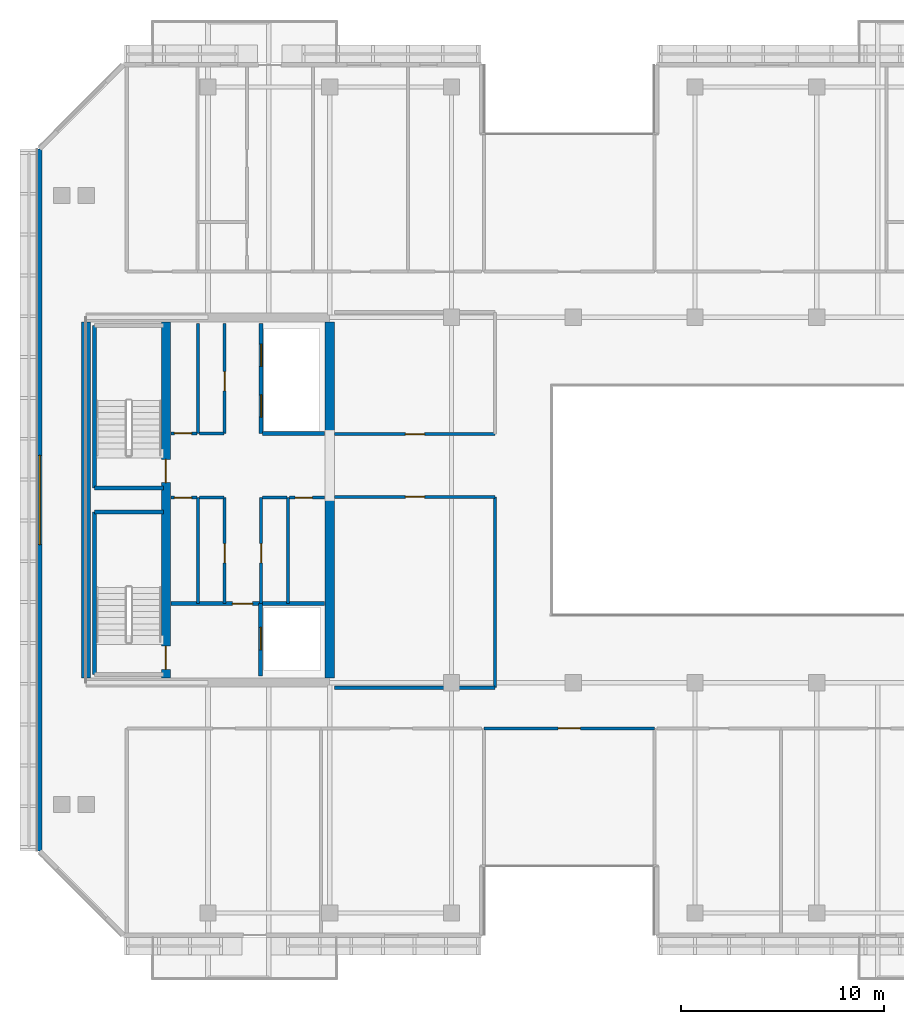
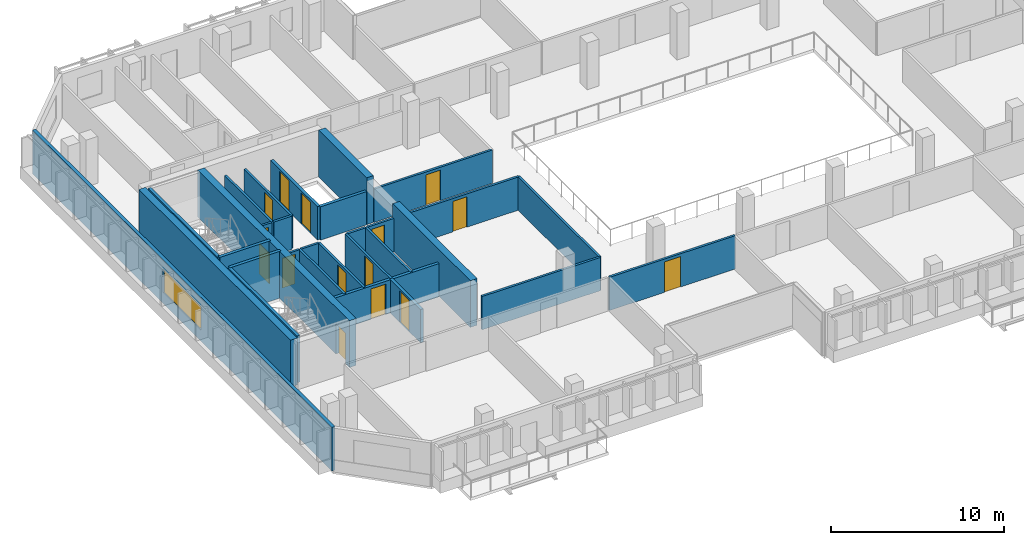
# One storey, part 6 of 16: 30 walls, 15 doors, 1 window, 16 openings.
"""IFC4 building model written with IfcOpenShell, lengths in metres."""

import ifcopenshell
import ifcopenshell.guid

model = None  # the IFC model being written
_history = None  # IfcOwnerHistory: only IFC2X3 demands one
_inside = {}  # id of a spatial element -> (the spatial element, [elements in it])
_under = {}  # id of a project, library or spatial element -> (it, [spatial elements below it])
_declared = {}  # id of a project -> (the project, [libraries it declares])
_typed = {}  # id of a type object -> (the type object, [elements of that type])
_made_of = {}  # id of a material, layer set ... -> (it, [elements and type objects made of it])


def new_model(schema):
    """Start an empty IFC model of exactly this schema.

    Asked for "IFC4X3", IfcOpenShell would pick the latest addendum, in which some entities
    have other attributes; the version numbers below select the first issue.
    IFC2X3 requires an IfcOwnerHistory on every rooted entity: one is made here for all.
    """
    global model, _history
    if schema == "IFC4X3":
        model = ifcopenshell.file(schema_version=(4, 3, 0, 0))
    else:
        model = ifcopenshell.file(schema=schema)
    _inside.clear()
    _under.clear()
    _declared.clear()
    _typed.clear()
    _made_of.clear()
    _history = None
    if model.schema == "IFC2X3":
        org = make("IfcOrganization", Name="unknown")
        user = make(
            "IfcPersonAndOrganization",
            ThePerson=make("IfcPerson", FamilyName="unknown"),
            TheOrganization=org,
        )
        app = make(
            "IfcApplication",
            ApplicationDeveloper=org,
            Version="unknown",
            ApplicationFullName="unknown",
            ApplicationIdentifier="unknown",
        )
        _history = make(
            "IfcOwnerHistory",
            OwningUser=user,
            OwningApplication=app,
            ChangeAction="ADDED",
            CreationDate=0,
        )
    return model


def make(cls, **values):
    """One entity of the class cls with the attributes given. An attribute that is None is left unset."""
    return model.create_entity(
        cls, **{name: value for name, value in values.items() if value is not None}
    )


def rooted(cls, **values):
    """An entity with a GlobalId (a new one), such as an element, a storey or a relation."""
    return make(cls, GlobalId=ifcopenshell.guid.new(), OwnerHistory=_history, **values)


def si_unit(unit_type, name, prefix=None):
    """IfcSIUnit, for example si_unit("LENGTHUNIT", "METRE", prefix="MILLI")."""
    return make("IfcSIUnit", UnitType=unit_type, Prefix=prefix, Name=name)


def assignment(units):
    """IfcUnitAssignment: the units of a project."""
    return None if units is None else make("IfcUnitAssignment", Units=units)


def point(xyz):
    """IfcCartesianPoint."""
    return None if xyz is None else make("IfcCartesianPoint", Coordinates=xyz)


def direction(xyz):
    """IfcDirection."""
    return None if xyz is None else make("IfcDirection", DirectionRatios=xyz)


def frame(location, z_axis=None, x_axis=None):
    """IfcAxis2Placement3D, a coordinate frame: its origin and axes. An axis left out is left unset."""
    return make(
        "IfcAxis2Placement3D",
        Location=point(location),
        Axis=direction(z_axis),
        RefDirection=direction(x_axis),
    )


def frame_2d(location, x_axis=None):
    """IfcAxis2Placement2D, a coordinate frame in the plane: its origin and x axis."""
    return make(
        "IfcAxis2Placement2D", Location=point(location), RefDirection=direction(x_axis)
    )


def origin():
    """The frame at (0, 0, 0) with its axes left unset."""
    return frame((0.0, 0.0, 0.0))


def place(relative_to, where):
    """IfcLocalPlacement: puts the frame where relative to a parent placement (None: the world)."""
    return make(
        "IfcLocalPlacement", PlacementRelTo=relative_to, RelativePlacement=where
    )


def context(
    kind, dimensions, precision=None, world=None, true_north=None, identifier=None
):
    """IfcGeometricRepresentationContext, for example the 3D "Model" context."""
    return make(
        "IfcGeometricRepresentationContext",
        ContextIdentifier=identifier,
        ContextType=kind,
        CoordinateSpaceDimension=dimensions,
        Precision=precision,
        WorldCoordinateSystem=world,
        TrueNorth=true_north,
    )


def subcontext(parent, identifier, kind, view, scale=None):
    """IfcGeometricRepresentationSubContext, for example "Body" below "Model"."""
    return make(
        "IfcGeometricRepresentationSubContext",
        ContextIdentifier=identifier,
        ContextType=kind,
        ParentContext=parent,
        TargetScale=scale,
        TargetView=view,
    )


def project(units=None, contexts=None):
    """IfcProject with its units and contexts."""
    return rooted(
        "IfcProject",
        Name="project",
        RepresentationContexts=contexts,
        UnitsInContext=assignment(units),
    )


def spatial(cls, under=None, at=None, **own):
    """A site, building, storey or space (cls), placed at a placement, below another one or the project."""
    s = rooted(cls, ObjectPlacement=at, **own)
    if under is not None:
        _under.setdefault(under.id(), (under, []))[1].append(s)
    return s


def profile(cls, at=None, kind="AREA", **sizes):
    """A parametric profile (cls). Its sizes go by their IFC names, for example OverallWidth=200.0."""
    return make(cls, ProfileType=kind, Position=at, **sizes)


def rectangle(**sizes):
    """IfcRectangleProfileDef."""
    return profile("IfcRectangleProfileDef", **sizes)


def extrude(swept, where, along, depth):
    """IfcExtrudedAreaSolid: the profile swept, set in the frame where, extruded along a direction by depth."""
    return make(
        "IfcExtrudedAreaSolid",
        SweptArea=swept,
        Position=where,
        ExtrudedDirection=direction(along),
        Depth=depth,
    )


def shape(context_of_items, identifier, shape_type, items):
    """IfcShapeRepresentation: the items that make up one representation, for example the "Body"."""
    return make(
        "IfcShapeRepresentation",
        ContextOfItems=context_of_items,
        RepresentationIdentifier=identifier,
        RepresentationType=shape_type,
        Items=items,
    )


def material(Name=None, Category=None):
    """IfcMaterial."""
    return make("IfcMaterial", Name=Name, Category=Category)


def layer(
    of_material, thickness, ventilated=None, Name=None, Category=None, Priority=None
):
    """IfcMaterialLayer: one layer of a wall or slab, of a material (None: an air gap)."""
    return make(
        "IfcMaterialLayer",
        Material=of_material,
        LayerThickness=thickness,
        IsVentilated=ventilated,
        Name=Name,
        Category=Category,
        Priority=Priority,
    )


def layer_set(layers, Name=None):
    """IfcMaterialLayerSet."""
    return make("IfcMaterialLayerSet", MaterialLayers=layers, LayerSetName=Name)


def made_of(thing, what):
    """Note that an element or type object is made of a material, layer set ...; save() writes the relation."""
    if what is not None:
        _made_of.setdefault(what.id(), (what, []))[1].append(thing)
    return thing


def type_object(cls, material=None, **own):
    """A type object (cls), such as IfcWallType, which elements share."""
    return made_of(rooted(cls, **own), material)


def element(
    cls,
    number,
    at=None,
    inside=None,
    cuts=None,
    type_object=None,
    material=None,
    context=None,
    identifier="Body",
    shape_type=None,
    held_by="IfcProductDefinitionShape",
    body=None,
    shapes=None,
    **own,
):
    """One element of the class cls, such as IfcWall. Its Tag is "e" and its number.

    at: its placement. inside: the storey or other place that contains it. cuts: it is an
    opening in that element (IfcRelVoidsElement). A single representation is given by context,
    identifier, shape_type and body (its items); several are given by shapes. held_by: the class
    of the entity that holds the representations. save() writes the other relations.
    """
    e = rooted(cls, Tag="e%d" % number, ObjectPlacement=at, **own)
    if body is not None:
        shapes = [shape(context, identifier, shape_type, body)]
    if shapes is not None:
        e.Representation = make(held_by, Representations=shapes)
    if inside is not None:
        _inside.setdefault(inside.id(), (inside, []))[1].append(e)
    if cuts is not None:
        rooted(
            "IfcRelVoidsElement", RelatingBuildingElement=cuts, RelatedOpeningElement=e
        )
    if type_object is not None:
        _typed.setdefault(type_object.id(), (type_object, []))[1].append(e)
    return made_of(e, material)


def fill(opening, filler):
    """IfcRelFillsElement: the door or window that sits in an opening."""
    return rooted(
        "IfcRelFillsElement",
        RelatingOpeningElement=opening,
        RelatedBuildingElement=filler,
    )


def aggregate(whole, parts):
    """IfcRelAggregates: a whole, such as a stair, and the parts it consists of."""
    return rooted("IfcRelAggregates", RelatingObject=whole, RelatedObjects=parts)


def save(model, path):
    """Write the relations noted so far, then the file.

    IfcRelAggregates (storeys below a building ...), IfcRelContainedInSpatialStructure (elements
    in a storey), IfcRelDefinesByType, IfcRelAssociatesMaterial and IfcRelDeclares: one each for
    every whole, place, type object, material and project.
    """
    for whole, parts in _under.values():
        aggregate(whole, parts)
    for where, things in _inside.values():
        rooted(
            "IfcRelContainedInSpatialStructure",
            RelatedElements=things,
            RelatingStructure=where,
        )
    for kind, things in _typed.values():
        rooted("IfcRelDefinesByType", RelatedObjects=things, RelatingType=kind)
    for what, things in _made_of.values():
        rooted("IfcRelAssociatesMaterial", RelatedObjects=things, RelatingMaterial=what)
    for by, libraries in _declared.values():
        rooted("IfcRelDeclares", RelatingContext=by, RelatedDefinitions=libraries)
    model.write(path)


model = new_model("IFC4")

# Units and contexts
model_context = context("Model", 3, precision=1e-05, world=origin(), true_north=direction((0.0, 1.0)))
body_context = subcontext(model_context, "Body", "Model", "MODEL_VIEW")
ifc_project = project(units=[si_unit("LENGTHUNIT", "METRE"), si_unit("AREAUNIT", "SQUARE_METRE"), si_unit("VOLUMEUNIT", "CUBIC_METRE"), si_unit("PLANEANGLEUNIT", "RADIAN"), si_unit("MASSUNIT", "GRAM", prefix="KILO")], contexts=[model_context])

# Site, building, storey
site_placement = place(None, origin())
site = spatial("IfcSite", under=ifc_project, at=site_placement, CompositionType="ELEMENT")
building_placement = place(site_placement, origin())
building = spatial("IfcBuilding", under=site, at=building_placement, Name="Tanjung Sevakor Pilgrim Tower", CompositionType="ELEMENT")
storey_placement = place(building_placement, frame((0.0, 0.0, 191.72998046875)))
storey = spatial("IfcBuildingStorey", under=building, at=storey_placement, Name="L53", CompositionType="ELEMENT", Elevation=191.72998046875)

# Walls
ifc_material_1 = material(Name="Concrete C60/75", Category="concrete")
ifc_layer_1 = layer(ifc_material_1, 0.449951171875)
ifc_layer_set_1 = layer_set([ifc_layer_1], Name="WALL-CW-450")
wall_type_1 = type_object("IfcWallType", Name="WALL-CW-450", PredefinedType="SHEAR", material=ifc_layer_set_1)
wall_1_placement = place(storey_placement, frame((24.0, 24.824951171875, 0.0), z_axis=(0.0, 0.0, 1.0), x_axis=(0.0, 1.0, 0.0)))
element("IfcWall", 1, at=wall_1_placement, inside=storey, type_object=wall_type_1, Name="L53 W Core Outer Shear Wall", PredefinedType="SHEAR", context=body_context, shape_type="SweptSolid", body=[
    extrude(rectangle(XDim=17.550048828125, YDim=0.449951171875, at=frame_2d((8.77490234375, 0.0))), origin(), (0.0, 0.0, 1.0), 3.300048828125),
])
wall_2_placement = place(storey_placement, frame((36.0, 24.824951171875, 0.0), z_axis=(0.0, 0.0, 1.0), x_axis=(0.0, 1.0, 0.0)))
element("IfcWall", 2, at=wall_2_placement, inside=storey, type_object=wall_type_1, Name="L53 W Core Inner Shear Wall South", PredefinedType="SHEAR", context=body_context, shape_type="SweptSolid", body=[
    extrude(rectangle(XDim=8.97509765625, YDim=0.449951171875, at=frame_2d((4.487548828125, 0.0))), origin(), (0.0, 0.0, 1.0), 3.300048828125),
])
wall_3_placement = place(storey_placement, frame((36.0, 36.800048828125, 0.0), z_axis=(0.0, 0.0, 1.0), x_axis=(0.0, 1.0, 0.0)))
element("IfcWall", 3, at=wall_3_placement, inside=storey, type_object=wall_type_1, Name="L53 W Core Inner Shear Wall North", PredefinedType="SHEAR", context=body_context, shape_type="SweptSolid", body=[
    extrude(rectangle(XDim=5.574951171875, YDim=0.449951171875, at=frame_2d((2.78759765625, 0.0))), origin(), (0.0, 0.0, 1.0), 3.300048828125),
])

# Wall, openings, doors
wall_4_placement = place(storey_placement, frame((27.925048828125, 24.824951171875, 0.0), z_axis=(0.0, 0.0, 1.0), x_axis=(0.0, 1.0, 0.0)))
wall_4 = element("IfcWall", 4, at=wall_4_placement, inside=storey, type_object=wall_type_1, Name="L53 W Core Stair Spine Wall", PredefinedType="SHEAR", context=body_context, shape_type="SweptSolid", body=[
    extrude(rectangle(XDim=17.550048828125, YDim=0.449951171875, at=frame_2d((8.77490234375, 0.0))), origin(), (0.0, 0.0, 1.0), 3.300048828125),
])
opening_1_placement = place(wall_4_placement, frame((0.425048828125, 0.0, 0.0)))
opening_1 = element("IfcOpeningElement", 5, at=opening_1_placement, cuts=wall_4, Name="Opening ID-ST1", PredefinedType="OPENING", context=body_context, shape_type="SweptSolid", body=[
    extrude(rectangle(XDim=1.14990234375, YDim=2.14990234375, at=frame_2d((0.574951171875, 1.074951171875))), frame((0.0, 0.23486328125, 0.0), z_axis=(0.0, -1.0, 0.0), x_axis=(1.0, 0.0, 0.0)), (0.0, 0.0, 1.0), 0.469970703125),
])
opening_2_placement = place(wall_4_placement, frame((9.625, 0.0, 0.0)))
opening_2 = element("IfcOpeningElement", 6, at=opening_2_placement, cuts=wall_4, Name="Opening ID-ST1", PredefinedType="OPENING", context=body_context, shape_type="SweptSolid", body=[
    extrude(rectangle(XDim=1.14990234375, YDim=2.14990234375, at=frame_2d((0.574951171875, 1.074951171875))), frame((0.0, 0.23486328125, 0.0), z_axis=(0.0, -1.0, 0.0), x_axis=(1.0, 0.0, 0.0)), (0.0, 0.0, 1.0), 0.469970703125),
])
ifc_material_2 = material(Name="Fire-Rated Steel S355J2", Category="steel")
door_type_1 = type_object("IfcDoorType", Name="DT-FIRE-1150", OperationType="NOTDEFINED", PredefinedType="DOOR", material=ifc_material_2)
door_1_placement = place(opening_1_placement, origin())
door_1 = element("IfcDoor", 7, at=door_1_placement, inside=storey, type_object=door_type_1, Name="L53 TS-W1 Stair Fire Door", OperationType="SINGLE_SWING_RIGHT", OverallHeight=2.14990234375, OverallWidth=1.14990234375, PredefinedType="DOOR", context=body_context, shape_type="SweptSolid", body=[
    extrude(rectangle(XDim=1.14990234375, YDim=2.14990234375, at=frame_2d((0.574951171875, 1.074951171875))), frame((0.0, 0.02490234375, 0.0), z_axis=(0.0, -1.0, 0.0), x_axis=(1.0, 0.0, 0.0)), (0.0, 0.0, 1.0), 0.050048828125),
])
fill(opening_1, door_1)
door_2_placement = place(opening_2_placement, origin())
door_2 = element("IfcDoor", 8, at=door_2_placement, inside=storey, type_object=door_type_1, Name="L53 TS-W2 Stair Fire Door", OperationType="SINGLE_SWING_LEFT", OverallHeight=2.14990234375, OverallWidth=1.14990234375, PredefinedType="DOOR", context=body_context, shape_type="SweptSolid", body=[
    extrude(rectangle(XDim=1.14990234375, YDim=2.14990234375, at=frame_2d((0.574951171875, 1.074951171875))), frame((0.0, 0.02490234375, 0.0), z_axis=(0.0, -1.0, 0.0), x_axis=(1.0, 0.0, 0.0)), (0.0, 0.0, 1.0), 0.050048828125),
])
fill(opening_2, door_2)

# Wall
ifc_material_3 = material(Name="Concrete C40/50", Category="concrete")
ifc_layer_2 = layer(ifc_material_3, 0.14990234375)
ifc_layer_set_2 = layer_set([ifc_layer_2], Name="WT-COMP-150")
wall_type_2 = type_object("IfcWallType", Name="WT-COMP-150", PredefinedType="SOLIDWALL", material=ifc_layer_set_2)
wall_5_placement = place(storey_placement, frame((29.52001953125, 28.5, 0.0), z_axis=(0.0, 0.0, 1.0), x_axis=(0.0, 1.0, 0.0)))
element("IfcWall", 9, at=wall_5_placement, inside=storey, type_object=wall_type_2, Name="L53 Partition IW-L53-003", PredefinedType="SOLIDWALL", context=body_context, shape_type="SweptSolid", body=[
    extrude(rectangle(XDim=5.219970703125, YDim=0.14990234375, at=frame_2d((2.60986328125, 0.0))), origin(), (0.0, 0.0, 1.0), 2.35009765625),
])

# Wall, opening, door
wall_6_placement = place(storey_placement, frame((28.169921875, 33.719970703125, 0.0), z_axis=(0.0, 0.0, 1.0), x_axis=(1.0, 0.0, 0.0)))
wall_6 = element("IfcWall", 10, at=wall_6_placement, inside=storey, type_object=wall_type_2, Name="L53 Partition IW-L53-004", PredefinedType="SOLIDWALL", context=body_context, shape_type="SweptSolid", body=[
    extrude(rectangle(XDim=1.280029296875, YDim=0.14990234375, at=frame_2d((0.64013671875, 0.0))), origin(), (0.0, 0.0, 1.0), 2.35009765625),
])
opening_3_placement = place(wall_6_placement, frame((0.179931640625, 0.0, 0.0)))
opening_3 = element("IfcOpeningElement", 11, at=opening_3_placement, cuts=wall_6, Name="Opening ID-FD3", PredefinedType="OPENING", context=body_context, shape_type="SweptSolid", body=[
    extrude(rectangle(XDim=0.85009765625, YDim=2.10009765625, at=frame_2d((0.425048828125, 1.050048828125))), frame((0.0, 0.0849609375, 0.0), z_axis=(0.0, -1.0, 0.0), x_axis=(1.0, 0.0, 0.0)), (0.0, 0.0, 1.0), 0.169921875),
])
ifc_material_4 = material(Name="Fire-Rated Timber", Category="wood")
door_type_2 = type_object("IfcDoorType", Name="DT-FIRE-850", OperationType="NOTDEFINED", PredefinedType="DOOR", material=ifc_material_4)
door_3_placement = place(opening_3_placement, origin())
door_3 = element("IfcDoor", 12, at=door_3_placement, inside=storey, type_object=door_type_2, Name="L53 Cleaner Store Door", OperationType="SINGLE_SWING_RIGHT", OverallHeight=2.10009765625, OverallWidth=0.85009765625, PredefinedType="DOOR", context=body_context, shape_type="SweptSolid", body=[
    extrude(rectangle(XDim=0.85009765625, YDim=2.10009765625, at=frame_2d((0.425048828125, 1.050048828125))), frame((0.0, 0.02490234375, 0.0), z_axis=(0.0, -1.0, 0.0), x_axis=(1.0, 0.0, 0.0)), (0.0, 0.0, 1.0), 0.050048828125),
])
fill(opening_3, door_3)

# Wall
wall_7_placement = place(storey_placement, frame((29.580078125, 33.719970703125, 0.0), z_axis=(0.0, 0.0, 1.0), x_axis=(1.0, 0.0, 0.0)))
element("IfcWall", 13, at=wall_7_placement, inside=storey, type_object=wall_type_2, Name="L53 Partition IW-L53-005", PredefinedType="SOLIDWALL", context=body_context, shape_type="SweptSolid", body=[
    extrude(rectangle(XDim=1.219970703125, YDim=0.14990234375, at=frame_2d((0.60986328125, 0.0))), origin(), (0.0, 0.0, 1.0), 2.35009765625),
])

# Wall, opening, door
wall_8_placement = place(storey_placement, frame((30.820068359375, 28.5, 0.0), z_axis=(0.0, 0.0, 1.0), x_axis=(0.0, 1.0, 0.0)))
wall_8 = element("IfcWall", 14, at=wall_8_placement, inside=storey, type_object=wall_type_2, Name="L53 Partition IW-L53-006", PredefinedType="SOLIDWALL", context=body_context, shape_type="SweptSolid", body=[
    extrude(rectangle(XDim=5.219970703125, YDim=0.14990234375, at=frame_2d((2.60986328125, 0.0))), origin(), (0.0, 0.0, 1.0), 2.35009765625),
])
opening_4_placement = place(wall_8_placement, frame((2.0, 0.0, 0.0)))
opening_4 = element("IfcOpeningElement", 15, at=opening_4_placement, cuts=wall_8, Name="Opening ID-FD2", PredefinedType="OPENING", context=body_context, shape_type="SweptSolid", body=[
    extrude(rectangle(XDim=0.949951171875, YDim=2.14990234375, at=frame_2d((0.47509765625, 1.074951171875))), frame((0.0, 0.0849609375, 0.0), z_axis=(0.0, -1.0, 0.0), x_axis=(1.0, 0.0, 0.0)), (0.0, 0.0, 1.0), 0.169921875),
])
ifc_material_5 = material(Name="Fire-Rated Timber", Category="wood")
door_type_3 = type_object("IfcDoorType", Name="DT-FIRE-950", OperationType="NOTDEFINED", PredefinedType="DOOR", material=ifc_material_5)
door_4_placement = place(opening_4_placement, origin())
door_4 = element("IfcDoor", 16, at=door_4_placement, inside=storey, type_object=door_type_3, Name="L53 Housekeeping Pantry Door", OperationType="SINGLE_SWING_LEFT", OverallHeight=2.14990234375, OverallWidth=0.949951171875, PredefinedType="DOOR", context=body_context, shape_type="SweptSolid", body=[
    extrude(rectangle(XDim=0.949951171875, YDim=2.14990234375, at=frame_2d((0.47509765625, 1.074951171875))), frame((0.0, 0.02490234375, 0.0), z_axis=(0.0, -1.0, 0.0), x_axis=(1.0, 0.0, 0.0)), (0.0, 0.0, 1.0), 0.050048828125),
])
fill(opening_4, door_4)

# Walls
wall_9_placement = place(storey_placement, frame((33.949951171875, 28.5, 0.0), z_axis=(0.0, 0.0, 1.0), x_axis=(0.0, 1.0, 0.0)))
element("IfcWall", 17, at=wall_9_placement, inside=storey, type_object=wall_type_2, Name="L53 Partition IW-L53-007", PredefinedType="SOLIDWALL", context=body_context, shape_type="SweptSolid", body=[
    extrude(rectangle(XDim=5.219970703125, YDim=0.14990234375, at=frame_2d((2.60986328125, 0.0))), origin(), (0.0, 0.0, 1.0), 2.35009765625),
])
wall_10_placement = place(storey_placement, frame((32.679931640625, 33.719970703125, 0.0), z_axis=(0.0, 0.0, 1.0), x_axis=(1.0, 0.0, 0.0)))
element("IfcWall", 18, at=wall_10_placement, inside=storey, type_object=wall_type_2, Name="L53 Partition IW-L53-008", PredefinedType="SOLIDWALL", context=body_context, shape_type="SweptSolid", body=[
    extrude(rectangle(XDim=1.2099609375, YDim=0.14990234375, at=frame_2d((0.60498046875, 0.0))), origin(), (0.0, 0.0, 1.0), 2.35009765625),
])

# Wall, opening, door
wall_11_placement = place(storey_placement, frame((34.010009765625, 33.719970703125, 0.0), z_axis=(0.0, 0.0, 1.0), x_axis=(1.0, 0.0, 0.0)))
wall_11 = element("IfcWall", 19, at=wall_11_placement, inside=storey, type_object=wall_type_2, Name="L53 Partition IW-L53-009", PredefinedType="SOLIDWALL", context=body_context, shape_type="SweptSolid", body=[
    extrude(rectangle(XDim=1.744873046875, YDim=0.14990234375, at=frame_2d((0.87255859375, 0.0))), origin(), (0.0, 0.0, 1.0), 2.35009765625),
])
opening_5_placement = place(wall_11_placement, frame((0.280029296875, 0.0, 0.0)))
opening_5 = element("IfcOpeningElement", 20, at=opening_5_placement, cuts=wall_11, Name="Opening ID-FD3", PredefinedType="OPENING", context=body_context, shape_type="SweptSolid", body=[
    extrude(rectangle(XDim=0.85009765625, YDim=2.10009765625, at=frame_2d((0.425048828125, 1.050048828125))), frame((0.0, 0.0849609375, 0.0), z_axis=(0.0, -1.0, 0.0), x_axis=(1.0, 0.0, 0.0)), (0.0, 0.0, 1.0), 0.169921875),
])
door_5_placement = place(opening_5_placement, origin())
door_5 = element("IfcDoor", 21, at=door_5_placement, inside=storey, type_object=door_type_2, Name="L53 Service Store Door", OperationType="SINGLE_SWING_RIGHT", OverallHeight=2.10009765625, OverallWidth=0.85009765625, PredefinedType="DOOR", context=body_context, shape_type="SweptSolid", body=[
    extrude(rectangle(XDim=0.85009765625, YDim=2.10009765625, at=frame_2d((0.425048828125, 1.050048828125))), frame((0.0, 0.02490234375, 0.0), z_axis=(0.0, -1.0, 0.0), x_axis=(1.0, 0.0, 0.0)), (0.0, 0.0, 1.0), 0.050048828125),
])
fill(opening_5, door_5)

wall_12_placement = place(storey_placement, frame((32.6201171875, 28.5, 0.0), z_axis=(0.0, 0.0, 1.0), x_axis=(0.0, 1.0, 0.0)))
wall_12 = element("IfcWall", 22, at=wall_12_placement, inside=storey, type_object=wall_type_2, Name="L53 Partition IW-L53-010", PredefinedType="SOLIDWALL", context=body_context, shape_type="SweptSolid", body=[
    extrude(rectangle(XDim=5.219970703125, YDim=0.14990234375, at=frame_2d((2.60986328125, 0.0))), origin(), (0.0, 0.0, 1.0), 2.35009765625),
])
opening_6_placement = place(wall_12_placement, frame((2.0, 0.0, 0.0)))
opening_6 = element("IfcOpeningElement", 23, at=opening_6_placement, cuts=wall_12, Name="Opening ID-FD2", PredefinedType="OPENING", context=body_context, shape_type="SweptSolid", body=[
    extrude(rectangle(XDim=0.949951171875, YDim=2.14990234375, at=frame_2d((0.47509765625, 1.074951171875))), frame((0.0, 0.0849609375, 0.0), z_axis=(0.0, -1.0, 0.0), x_axis=(1.0, 0.0, 0.0)), (0.0, 0.0, 1.0), 0.169921875),
])
door_6_placement = place(opening_6_placement, origin())
door_6 = element("IfcDoor", 24, at=door_6_placement, inside=storey, type_object=door_type_3, Name="L53 Accessible WC Door", OperationType="SINGLE_SWING_LEFT", OverallHeight=2.14990234375, OverallWidth=0.949951171875, PredefinedType="DOOR", context=body_context, shape_type="SweptSolid", body=[
    extrude(rectangle(XDim=0.949951171875, YDim=2.14990234375, at=frame_2d((0.47509765625, 1.074951171875))), frame((0.0, 0.02490234375, 0.0), z_axis=(0.0, -1.0, 0.0), x_axis=(1.0, 0.0, 0.0)), (0.0, 0.0, 1.0), 0.050048828125),
])
fill(opening_6, door_6)

# Wall
wall_13_placement = place(storey_placement, frame((29.52001953125, 36.8798828125, 0.0), z_axis=(0.0, 0.0, 1.0), x_axis=(0.0, 1.0, 0.0)))
element("IfcWall", 25, at=wall_13_placement, inside=storey, type_object=wall_type_2, Name="L53 Partition IW-L53-011", PredefinedType="SOLIDWALL", context=body_context, shape_type="SweptSolid", body=[
    extrude(rectangle(XDim=5.420166015625, YDim=0.14990234375, at=frame_2d((2.7099609375, 0.0))), origin(), (0.0, 0.0, 1.0), 2.35009765625),
])

# Wall, opening, door
wall_14_placement = place(storey_placement, frame((28.169921875, 36.8798828125, 0.0), z_axis=(0.0, 0.0, 1.0), x_axis=(1.0, 0.0, 0.0)))
wall_14 = element("IfcWall", 26, at=wall_14_placement, inside=storey, type_object=wall_type_2, Name="L53 Partition IW-L53-012", PredefinedType="SOLIDWALL", context=body_context, shape_type="SweptSolid", body=[
    extrude(rectangle(XDim=1.280029296875, YDim=0.14990234375, at=frame_2d((0.64013671875, 0.0))), origin(), (0.0, 0.0, 1.0), 2.35009765625),
])
opening_7_placement = place(wall_14_placement, frame((0.179931640625, 0.0, 0.0)))
opening_7 = element("IfcOpeningElement", 27, at=opening_7_placement, cuts=wall_14, Name="Opening ID-FD3", PredefinedType="OPENING", context=body_context, shape_type="SweptSolid", body=[
    extrude(rectangle(XDim=0.85009765625, YDim=2.10009765625, at=frame_2d((0.425048828125, 1.050048828125))), frame((0.0, 0.0849609375, 0.0), z_axis=(0.0, -1.0, 0.0), x_axis=(1.0, 0.0, 0.0)), (0.0, 0.0, 1.0), 0.169921875),
])
door_7_placement = place(opening_7_placement, origin())
door_7 = element("IfcDoor", 28, at=door_7_placement, inside=storey, type_object=door_type_2, Name="L53 Service Store Door", OperationType="SINGLE_SWING_RIGHT", OverallHeight=2.10009765625, OverallWidth=0.85009765625, PredefinedType="DOOR", context=body_context, shape_type="SweptSolid", body=[
    extrude(rectangle(XDim=0.85009765625, YDim=2.10009765625, at=frame_2d((0.425048828125, 1.050048828125))), frame((0.0, 0.02490234375, 0.0), z_axis=(0.0, -1.0, 0.0), x_axis=(1.0, 0.0, 0.0)), (0.0, 0.0, 1.0), 0.050048828125),
])
fill(opening_7, door_7)

# Wall
wall_15_placement = place(storey_placement, frame((29.580078125, 36.8798828125, 0.0), z_axis=(0.0, 0.0, 1.0), x_axis=(1.0, 0.0, 0.0)))
element("IfcWall", 29, at=wall_15_placement, inside=storey, type_object=wall_type_2, Name="L53 Partition IW-L53-013", PredefinedType="SOLIDWALL", context=body_context, shape_type="SweptSolid", body=[
    extrude(rectangle(XDim=1.219970703125, YDim=0.14990234375, at=frame_2d((0.60986328125, 0.0))), origin(), (0.0, 0.0, 1.0), 2.35009765625),
])

# Wall, opening, door
wall_16_placement = place(storey_placement, frame((30.820068359375, 36.8798828125, 0.0), z_axis=(0.0, 0.0, 1.0), x_axis=(0.0, 1.0, 0.0)))
wall_16 = element("IfcWall", 30, at=wall_16_placement, inside=storey, type_object=wall_type_2, Name="L53 Partition IW-L53-014", PredefinedType="SOLIDWALL", context=body_context, shape_type="SweptSolid", body=[
    extrude(rectangle(XDim=5.420166015625, YDim=0.14990234375, at=frame_2d((2.7099609375, 0.0))), origin(), (0.0, 0.0, 1.0), 2.35009765625),
])
opening_8_placement = place(wall_16_placement, frame((2.10009765625, 0.0, 0.0)))
opening_8 = element("IfcOpeningElement", 31, at=opening_8_placement, cuts=wall_16, Name="Opening ID-FD2", PredefinedType="OPENING", context=body_context, shape_type="SweptSolid", body=[
    extrude(rectangle(XDim=0.949951171875, YDim=2.14990234375, at=frame_2d((0.47509765625, 1.074951171875))), frame((0.0, 0.0849609375, 0.0), z_axis=(0.0, -1.0, 0.0), x_axis=(1.0, 0.0, 0.0)), (0.0, 0.0, 1.0), 0.169921875),
])
door_8_placement = place(opening_8_placement, origin())
door_8 = element("IfcDoor", 32, at=door_8_placement, inside=storey, type_object=door_type_3, Name="L53 Core Reading Room Door", OperationType="SINGLE_SWING_LEFT", OverallHeight=2.14990234375, OverallWidth=0.949951171875, PredefinedType="DOOR", context=body_context, shape_type="SweptSolid", body=[
    extrude(rectangle(XDim=0.949951171875, YDim=2.14990234375, at=frame_2d((0.47509765625, 1.074951171875))), frame((0.0, 0.02490234375, 0.0), z_axis=(0.0, -1.0, 0.0), x_axis=(1.0, 0.0, 0.0)), (0.0, 0.0, 1.0), 0.050048828125),
])
fill(opening_8, door_8)

# Wall
wall_17_placement = place(storey_placement, frame((36.2451171875, 24.35009765625, 0.0), z_axis=(0.0, 0.0, 1.0), x_axis=(1.0, 0.0, 0.0)))
element("IfcWall", 33, at=wall_17_placement, inside=storey, type_object=wall_type_2, Name="L53 Partition IW-L53-033", PredefinedType="SOLIDWALL", context=body_context, shape_type="SweptSolid", body=[
    extrude(rectangle(XDim=7.90478515625, YDim=0.14990234375, at=frame_2d((3.952392578125, 0.0))), origin(), (0.0, 0.0, 1.0), 2.35009765625),
])

# Wall, opening, door
wall_18_placement = place(storey_placement, frame((36.2451171875, 33.75, 0.0), z_axis=(0.0, 0.0, 1.0), x_axis=(1.0, 0.0, 0.0)))
wall_18 = element("IfcWall", 34, at=wall_18_placement, inside=storey, type_object=wall_type_2, Name="L53 Partition IW-L53-034", PredefinedType="SOLIDWALL", context=body_context, shape_type="SweptSolid", body=[
    extrude(rectangle(XDim=7.90478515625, YDim=0.14990234375, at=frame_2d((3.952392578125, 0.0))), origin(), (0.0, 0.0, 1.0), 2.35009765625),
])
opening_9_placement = place(wall_18_placement, frame((3.4775390625, 0.0, 0.0)))
opening_9 = element("IfcOpeningElement", 35, at=opening_9_placement, cuts=wall_18, Name="Opening ID-RM1", PredefinedType="OPENING", context=body_context, shape_type="SweptSolid", body=[
    extrude(rectangle(XDim=0.949951171875, YDim=2.14990234375, at=frame_2d((0.47509765625, 1.074951171875))), frame((0.0, 0.0849609375, 0.0), z_axis=(0.0, -1.0, 0.0), x_axis=(1.0, 0.0, 0.0)), (0.0, 0.0, 1.0), 0.169921875),
])
ifc_material_6 = material(Name="Hardwood Timber", Category="wood")
door_type_4 = type_object("IfcDoorType", Name="DT-INT-950", OperationType="NOTDEFINED", PredefinedType="DOOR", material=ifc_material_6)
door_9_placement = place(opening_9_placement, origin())
door_9 = element("IfcDoor", 36, at=door_9_placement, inside=storey, type_object=door_type_4, Name="L53 West Inboard South Door", OperationType="SINGLE_SWING_RIGHT", OverallHeight=2.14990234375, OverallWidth=0.949951171875, PredefinedType="DOOR", context=body_context, shape_type="SweptSolid", body=[
    extrude(rectangle(XDim=0.949951171875, YDim=2.14990234375, at=frame_2d((0.47509765625, 1.074951171875))), frame((0.0, 0.02490234375, 0.0), z_axis=(0.0, -1.0, 0.0), x_axis=(1.0, 0.0, 0.0)), (0.0, 0.0, 1.0), 0.050048828125),
])
fill(opening_9, door_9)

# Wall
wall_19_placement = place(storey_placement, frame((44.14990234375, 24.35009765625, 0.0), z_axis=(0.0, 0.0, 1.0), x_axis=(0.0, 1.0, 0.0)))
element("IfcWall", 37, at=wall_19_placement, inside=storey, type_object=wall_type_2, Name="L53 Partition IW-L53-035", PredefinedType="SOLIDWALL", context=body_context, shape_type="SweptSolid", body=[
    extrude(rectangle(XDim=9.39990234375, YDim=0.14990234375, at=frame_2d((4.699951171875, 0.0))), origin(), (0.0, 0.0, 1.0), 2.35009765625),
])

# Wall, opening, door
wall_20_placement = place(storey_placement, frame((36.2451171875, 36.85009765625, 0.0), z_axis=(0.0, 0.0, 1.0), x_axis=(1.0, 0.0, 0.0)))
wall_20 = element("IfcWall", 38, at=wall_20_placement, inside=storey, type_object=wall_type_2, Name="L53 Partition IW-L53-036", PredefinedType="SOLIDWALL", context=body_context, shape_type="SweptSolid", body=[
    extrude(rectangle(XDim=7.90478515625, YDim=0.14990234375, at=frame_2d((3.952392578125, 0.0))), origin(), (0.0, 0.0, 1.0), 2.35009765625),
])
opening_10_placement = place(wall_20_placement, frame((3.4775390625, 0.0, 0.0)))
opening_10 = element("IfcOpeningElement", 39, at=opening_10_placement, cuts=wall_20, Name="Opening ID-RM1", PredefinedType="OPENING", context=body_context, shape_type="SweptSolid", body=[
    extrude(rectangle(XDim=0.949951171875, YDim=2.14990234375, at=frame_2d((0.47509765625, 1.074951171875))), frame((0.0, 0.0849609375, 0.0), z_axis=(0.0, -1.0, 0.0), x_axis=(1.0, 0.0, 0.0)), (0.0, 0.0, 1.0), 0.169921875),
])
door_10_placement = place(opening_10_placement, origin())
door_10 = element("IfcDoor", 40, at=door_10_placement, inside=storey, type_object=door_type_4, Name="L53 West Inboard North Door", OperationType="SINGLE_SWING_LEFT", OverallHeight=2.14990234375, OverallWidth=0.949951171875, PredefinedType="DOOR", context=body_context, shape_type="SweptSolid", body=[
    extrude(rectangle(XDim=0.949951171875, YDim=2.14990234375, at=frame_2d((0.47509765625, 1.074951171875))), frame((0.0, 0.02490234375, 0.0), z_axis=(0.0, -1.0, 0.0), x_axis=(1.0, 0.0, 0.0)), (0.0, 0.0, 1.0), 0.050048828125),
])
fill(opening_10, door_10)

wall_21_placement = place(storey_placement, frame((43.60009765625, 22.35009765625, 0.0), z_axis=(0.0, 0.0, 1.0), x_axis=(1.0, 0.0, 0.0)))
wall_21 = element("IfcWall", 41, at=wall_21_placement, inside=storey, type_object=wall_type_2, Name="L53 Partition IW-L53-045", PredefinedType="SOLIDWALL", context=body_context, shape_type="SweptSolid", body=[
    extrude(rectangle(XDim=8.39990234375, YDim=0.14990234375, at=frame_2d((4.199951171875, 0.0))), origin(), (0.0, 0.0, 1.0), 2.35009765625),
])
opening_11_placement = place(wall_21_placement, frame((3.64990234375, 0.0, 0.0)))
opening_11 = element("IfcOpeningElement", 42, at=opening_11_placement, cuts=wall_21, Name="Opening ID-RM2", PredefinedType="OPENING", context=body_context, shape_type="SweptSolid", body=[
    extrude(rectangle(XDim=1.10009765625, YDim=2.14990234375, at=frame_2d((0.550048828125, 1.074951171875))), frame((0.0, 0.0849609375, 0.0), z_axis=(0.0, -1.0, 0.0), x_axis=(1.0, 0.0, 0.0)), (0.0, 0.0, 1.0), 0.169921875),
])
ifc_material_7 = material(Name="Hardwood Timber", Category="wood")
door_type_5 = type_object("IfcDoorType", Name="DT-INT-1100", OperationType="NOTDEFINED", PredefinedType="DOOR", material=ifc_material_7)
door_11_placement = place(opening_11_placement, origin())
door_11 = element("IfcDoor", 43, at=door_11_placement, inside=storey, type_object=door_type_5, Name="L53 South Cleft Tea Sanctuary Door", OperationType="SINGLE_SWING_RIGHT", OverallHeight=2.14990234375, OverallWidth=1.10009765625, PredefinedType="DOOR", context=body_context, shape_type="SweptSolid", body=[
    extrude(rectangle(XDim=1.10009765625, YDim=2.14990234375, at=frame_2d((0.550048828125, 1.074951171875))), frame((0.0, 0.02490234375, 0.0), z_axis=(0.0, -1.0, 0.0), x_axis=(1.0, 0.0, 0.0)), (0.0, 0.0, 1.0), 0.050048828125),
])
fill(opening_11, door_11)

# Wall, opening, window
ifc_material_8 = material(Name="Precast concrete C45/55", Category="concrete")
ifc_layer_3 = layer(ifc_material_8, 0.219970703125)
ifc_layer_set_3 = layer_set([ifc_layer_3], Name="WT-EW-STN4")
wall_type_3 = type_object("IfcWallType", Name="WT-EW-STN4", PredefinedType="SOLIDWALL", material=ifc_layer_set_3)
wall_22_placement = place(storey_placement, frame((21.7099609375, 50.904296875, 0.0), z_axis=(0.0, 0.0, 1.0), x_axis=(0.0, -1.0, 0.0)))
wall_22 = element("IfcWall", 44, at=wall_22_placement, inside=storey, type_object=wall_type_3, Name="L53 MAIN Exterior Wall 15", PredefinedType="SOLIDWALL", context=body_context, shape_type="SweptSolid", body=[
    extrude(rectangle(XDim=34.608642578125, YDim=0.219970703125, at=frame_2d((17.30419921875, 0.0))), origin(), (0.0, 0.0, 1.0), 3.080078125),
])
opening_12_placement = place(wall_22_placement, frame((15.1044921875, 0.0, 0.780029296875)))
opening_12 = element("IfcOpeningElement", 45, at=opening_12_placement, cuts=wall_22, Name="Opening WN-ENDW-1660", PredefinedType="OPENING", context=body_context, shape_type="SweptSolid", body=[
    extrude(rectangle(XDim=4.39990234375, YDim=1.659912109375, at=frame_2d((2.199951171875, 0.830078125))), frame((0.0, 0.119873046875, 0.0), z_axis=(0.0, -1.0, 0.0), x_axis=(1.0, 0.0, 0.0)), (0.0, 0.0, 1.0), 0.239990234375),
])
ifc_material_9 = material(Name="Thermally Broken Aluminium and Low-E Glass", Category="aluminium")
window_type = type_object("IfcWindowType", Name="WTYP-WN-ENDW-1660", PartitioningType="DOUBLE_PANEL_VERTICAL", PredefinedType="WINDOW", material=ifc_material_9)
window_placement = place(opening_12_placement, origin())
window = element("IfcWindow", 46, at=window_placement, inside=storey, type_object=window_type, Name="L53 Facade Window 01", OverallHeight=1.659912109375, OverallWidth=4.39990234375, PartitioningType="SINGLE_PANEL", PredefinedType="WINDOW", context=body_context, shape_type="SweptSolid", body=[
    extrude(rectangle(XDim=4.39990234375, YDim=1.659912109375, at=frame_2d((2.199951171875, 0.830078125))), frame((0.0, 0.030029296875, 0.0), z_axis=(0.0, -1.0, 0.0), x_axis=(1.0, 0.0, 0.0)), (0.0, 0.0, 1.0), 0.06005859375),
])
fill(opening_12, window)

# Walls
ifc_material_10 = material(Name="Concrete C40/50", Category="concrete")
ifc_layer_4 = layer(ifc_material_10, 0.199951171875)
ifc_layer_set_4 = layer_set([ifc_layer_4], Name="WT-FIRE-200")
wall_type_4 = type_object("IfcWallType", Name="WT-FIRE-200", PredefinedType="SOLIDWALL", material=ifc_layer_set_4)
wall_23_placement = place(storey_placement, frame((27.800048828125, 33.0, 0.0), z_axis=(0.0, 0.0, 1.0), x_axis=(-1.0, 0.0, 0.0)))
element("IfcWall", 47, at=wall_23_placement, inside=storey, type_object=wall_type_4, Name="L53 TS-W1 Shaft Wall 2", PredefinedType="SOLIDWALL", context=body_context, shape_type="SweptSolid", body=[
    extrude(rectangle(XDim=3.400146484375, YDim=0.199951171875, at=frame_2d((1.7001953125, 0.0))), origin(), (0.0, 0.0, 1.0), 3.300048828125),
])
wall_24_placement = place(storey_placement, frame((24.39990234375, 33.0, 0.0), z_axis=(0.0, 0.0, 1.0), x_axis=(0.0, -1.0, 0.0)))
element("IfcWall", 48, at=wall_24_placement, inside=storey, type_object=wall_type_4, Name="L53 TS-W1 Shaft Wall 3", PredefinedType="SOLIDWALL", context=body_context, shape_type="SweptSolid", body=[
    extrude(rectangle(XDim=8.0, YDim=0.199951171875, at=frame_2d((4.0, 0.0))), origin(), (0.0, 0.0, 1.0), 3.300048828125),
])
wall_25_placement = place(storey_placement, frame((24.39990234375, 34.199951171875, 0.0), z_axis=(0.0, 0.0, 1.0), x_axis=(1.0, 0.0, 0.0)))
element("IfcWall", 49, at=wall_25_placement, inside=storey, type_object=wall_type_4, Name="L53 TS-W2 Shaft Wall 1", PredefinedType="SOLIDWALL", context=body_context, shape_type="SweptSolid", body=[
    extrude(rectangle(XDim=3.400146484375, YDim=0.199951171875, at=frame_2d((1.7001953125, 0.0))), origin(), (0.0, 0.0, 1.0), 3.300048828125),
])
wall_26_placement = place(storey_placement, frame((24.39990234375, 42.199951171875, 0.0), z_axis=(0.0, 0.0, 1.0), x_axis=(0.0, -1.0, 0.0)))
element("IfcWall", 50, at=wall_26_placement, inside=storey, type_object=wall_type_4, Name="L53 TS-W2 Shaft Wall 3", PredefinedType="SOLIDWALL", context=body_context, shape_type="SweptSolid", body=[
    extrude(rectangle(XDim=8.0, YDim=0.199951171875, at=frame_2d((4.0, 0.0))), origin(), (0.0, 0.0, 1.0), 3.300048828125),
])

# Wall, opening, door
ifc_material_11 = material(Name="Concrete C40/50", Category="concrete")
ifc_layer_5 = layer(ifc_material_11, 0.199951171875)
ifc_layer_set_5 = layer_set([ifc_layer_5], Name="WT-FPRT-200")
wall_type_5 = type_object("IfcWallType", Name="WT-FPRT-200", PredefinedType="SOLIDWALL", material=ifc_layer_set_5)
wall_27_placement = place(storey_placement, frame((32.60009765625, 24.919921875, 0.0), z_axis=(0.0, 0.0, 1.0), x_axis=(0.0, 1.0, 0.0)))
wall_27 = element("IfcWall", 51, at=wall_27_placement, inside=storey, type_object=wall_type_5, Name="L53 Partition IW-L53-001", PredefinedType="SOLIDWALL", context=body_context, shape_type="SweptSolid", body=[
    extrude(rectangle(XDim=3.580078125, YDim=0.199951171875, at=frame_2d((1.7900390625, 0.0))), origin(), (0.0, 0.0, 1.0), 2.35009765625),
])
opening_13_placement = place(wall_27_placement, frame((1.300048828125, 0.0, 0.0)))
opening_13 = element("IfcOpeningElement", 52, at=opening_13_placement, cuts=wall_27, Name="Opening LD-1100", PredefinedType="OPENING", context=body_context, shape_type="SweptSolid", body=[
    extrude(rectangle(XDim=1.10009765625, YDim=2.199951171875, at=frame_2d((0.550048828125, 1.10009765625))), frame((0.0, 0.10986328125, 0.0), z_axis=(0.0, -1.0, 0.0), x_axis=(1.0, 0.0, 0.0)), (0.0, 0.0, 1.0), 0.219970703125),
])
ifc_material_12 = material(Name="Brushed Stainless Steel S355J2", Category="steel")
door_type_6 = type_object("IfcDoorType", Name="DT-LIFT-1100", OperationType="SLIDING_TO_LEFT", PredefinedType="DOOR", material=ifc_material_12)
door_12_placement = place(opening_13_placement, origin())
door_12 = element("IfcDoor", 53, at=door_12_placement, inside=storey, type_object=door_type_6, Name="LD-FL-W", OperationType="SLIDING_TO_LEFT", OverallHeight=2.199951171875, OverallWidth=1.10009765625, PredefinedType="DOOR", context=body_context, shape_type="SweptSolid", body=[
    extrude(rectangle(XDim=1.10009765625, YDim=2.199951171875, at=frame_2d((0.550048828125, 1.10009765625))), frame((0.0, 0.02490234375, 0.0), z_axis=(0.0, -1.0, 0.0), x_axis=(1.0, 0.0, 0.0)), (0.0, 0.0, 1.0), 0.050048828125),
])
fill(opening_13, door_12)

wall_28_placement = place(storey_placement, frame((28.169921875, 28.5, 0.0), z_axis=(0.0, 0.0, 1.0), x_axis=(1.0, 0.0, 0.0)))
wall_28 = element("IfcWall", 54, at=wall_28_placement, inside=storey, type_object=wall_type_5, Name="L53 Partition IW-L53-002", PredefinedType="SOLIDWALL", context=body_context, shape_type="SweptSolid", body=[
    extrude(rectangle(XDim=7.5849609375, YDim=0.199951171875, at=frame_2d((3.79248046875, 0.0))), origin(), (0.0, 0.0, 1.0), 2.35009765625),
])
opening_14_placement = place(wall_28_placement, frame((3.030029296875, 0.0, 0.0)))
opening_14 = element("IfcOpeningElement", 55, at=opening_14_placement, cuts=wall_28, Name="Opening ID-FD1", PredefinedType="OPENING", context=body_context, shape_type="SweptSolid", body=[
    extrude(rectangle(XDim=1.0, YDim=2.14990234375, at=frame_2d((0.5, 1.074951171875))), frame((0.0, 0.10986328125, 0.0), z_axis=(0.0, -1.0, 0.0), x_axis=(1.0, 0.0, 0.0)), (0.0, 0.0, 1.0), 0.219970703125),
])
ifc_material_13 = material(Name="Fire-Rated Steel S355J2", Category="steel")
door_type_7 = type_object("IfcDoorType", Name="DT-FIRE-1000", OperationType="NOTDEFINED", PredefinedType="DOOR", material=ifc_material_13)
door_13_placement = place(opening_14_placement, origin())
door_13 = element("IfcDoor", 56, at=door_13_placement, inside=storey, type_object=door_type_7, Name="Fire Lobby Door W", OperationType="SINGLE_SWING_LEFT", OverallHeight=2.14990234375, OverallWidth=1.0, PredefinedType="DOOR", context=body_context, shape_type="SweptSolid", body=[
    extrude(rectangle(XDim=1.0, YDim=2.14990234375, at=frame_2d((0.5, 1.074951171875))), frame((0.0, 0.02490234375, 0.0), z_axis=(0.0, -1.0, 0.0), x_axis=(1.0, 0.0, 0.0)), (0.0, 0.0, 1.0), 0.050048828125),
])
fill(opening_14, door_13)

# Wall
wall_29_placement = place(storey_placement, frame((32.679931640625, 36.8798828125, 0.0), z_axis=(0.0, 0.0, 1.0), x_axis=(1.0, 0.0, 0.0)))
element("IfcWall", 57, at=wall_29_placement, inside=storey, type_object=wall_type_5, Name="L53 Partition IW-L53-015", PredefinedType="SOLIDWALL", context=body_context, shape_type="SweptSolid", body=[
    extrude(rectangle(XDim=3.074951171875, YDim=0.199951171875, at=frame_2d((1.53759765625, 0.0))), origin(), (0.0, 0.0, 1.0), 2.35009765625),
])

# Wall, openings, doors
wall_30_placement = place(storey_placement, frame((32.6201171875, 36.8798828125, 0.0), z_axis=(0.0, 0.0, 1.0), x_axis=(0.0, 1.0, 0.0)))
wall_30 = element("IfcWall", 58, at=wall_30_placement, inside=storey, type_object=wall_type_5, Name="L53 Partition IW-L53-016", PredefinedType="SOLIDWALL", context=body_context, shape_type="SweptSolid", body=[
    extrude(rectangle(XDim=5.420166015625, YDim=0.199951171875, at=frame_2d((2.7099609375, 0.0))), origin(), (0.0, 0.0, 1.0), 2.35009765625),
])
opening_15_placement = place(wall_30_placement, frame((0.800048828125, 0.0, 0.0)))
opening_15 = element("IfcOpeningElement", 59, at=opening_15_placement, cuts=wall_30, Name="Opening LD-1100", PredefinedType="OPENING", context=body_context, shape_type="SweptSolid", body=[
    extrude(rectangle(XDim=1.10009765625, YDim=2.199951171875, at=frame_2d((0.550048828125, 1.10009765625))), frame((0.0, 0.10986328125, 0.0), z_axis=(0.0, -1.0, 0.0), x_axis=(1.0, 0.0, 0.0)), (0.0, 0.0, 1.0), 0.219970703125),
])
opening_16_placement = place(wall_30_placement, frame((3.300048828125, 0.0, 0.0)))
opening_16 = element("IfcOpeningElement", 60, at=opening_16_placement, cuts=wall_30, Name="Opening LD-1100", PredefinedType="OPENING", context=body_context, shape_type="SweptSolid", body=[
    extrude(rectangle(XDim=1.10009765625, YDim=2.199951171875, at=frame_2d((0.550048828125, 1.10009765625))), frame((0.0, 0.10986328125, 0.0), z_axis=(0.0, -1.0, 0.0), x_axis=(1.0, 0.0, 0.0)), (0.0, 0.0, 1.0), 0.219970703125),
])
door_14_placement = place(opening_15_placement, origin())
door_14 = element("IfcDoor", 61, at=door_14_placement, inside=storey, type_object=door_type_6, Name="LD-PLH1-W", OperationType="SLIDING_TO_LEFT", OverallHeight=2.199951171875, OverallWidth=1.10009765625, PredefinedType="DOOR", context=body_context, shape_type="SweptSolid", body=[
    extrude(rectangle(XDim=1.10009765625, YDim=2.199951171875, at=frame_2d((0.550048828125, 1.10009765625))), frame((0.0, 0.02490234375, 0.0), z_axis=(0.0, -1.0, 0.0), x_axis=(1.0, 0.0, 0.0)), (0.0, 0.0, 1.0), 0.050048828125),
])
fill(opening_15, door_14)
door_15_placement = place(opening_16_placement, origin())
door_15 = element("IfcDoor", 62, at=door_15_placement, inside=storey, type_object=door_type_6, Name="LD-PLH2-W", OperationType="SLIDING_TO_RIGHT", OverallHeight=2.199951171875, OverallWidth=1.10009765625, PredefinedType="DOOR", context=body_context, shape_type="SweptSolid", body=[
    extrude(rectangle(XDim=1.10009765625, YDim=2.199951171875, at=frame_2d((0.550048828125, 1.10009765625))), frame((0.0, 0.02490234375, 0.0), z_axis=(0.0, -1.0, 0.0), x_axis=(1.0, 0.0, 0.0)), (0.0, 0.0, 1.0), 0.050048828125),
])
fill(opening_16, door_15)

save(model, "model.ifc")
